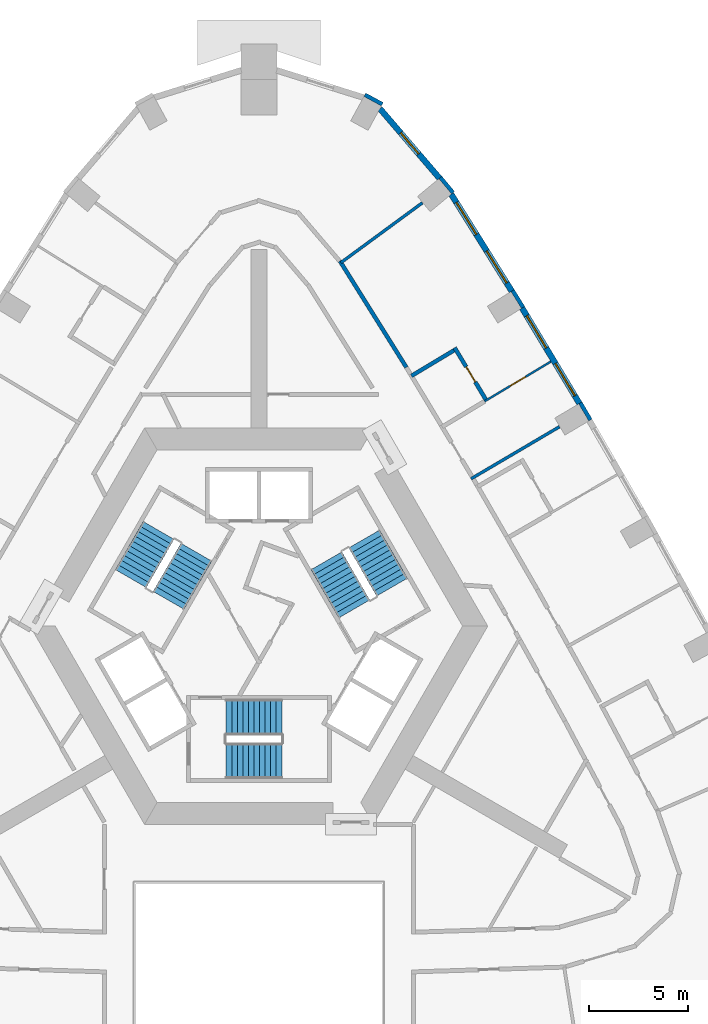
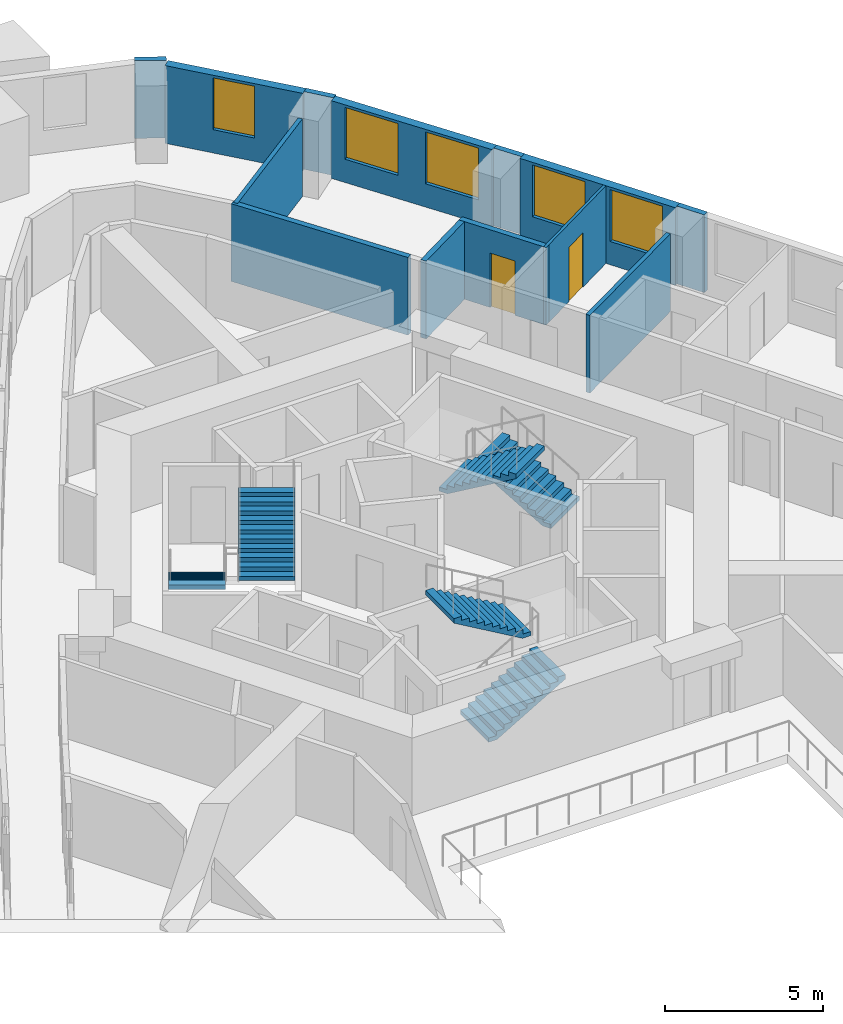
# One storey, part 9 of 12: 13 walls, 6 stair flights, 5 windows, 2 doors, 7 openings, 3 elements without a shape of their own.
"""IFC4 building model written with IfcOpenShell, lengths in metres."""

from ifc_helpers import new_model, si_unit, direction, frame, frame_2d, origin, place, context, subcontext, project, spatial, polyline, rectangle, outline, extrude, material, layer, layer_set, type_object, element, fill, aggregate, save


model = new_model("IFC4")

# Units and contexts
model_context = context("Model", 3, precision=1e-05, world=origin(), true_north=direction((0.0, 1.0)))
body_context = subcontext(model_context, "Body", "Model", "MODEL_VIEW")
ifc_project = project(units=[si_unit("LENGTHUNIT", "METRE"), si_unit("AREAUNIT", "SQUARE_METRE"), si_unit("VOLUMEUNIT", "CUBIC_METRE"), si_unit("PLANEANGLEUNIT", "RADIAN"), si_unit("MASSUNIT", "GRAM", prefix="KILO")], contexts=[model_context])

# Site, building, storey
site_placement = place(None, origin())
site = spatial("IfcSite", under=ifc_project, at=site_placement, CompositionType="ELEMENT")
building_placement = place(site_placement, origin())
building = spatial("IfcBuilding", under=site, at=building_placement, Name="Entoto Arch Interchange Tower", CompositionType="ELEMENT")
storey_placement = place(building_placement, frame((0.0, 0.0, 277.39990234375)))
storey = spatial("IfcBuildingStorey", under=building, at=storey_placement, Name="L64", CompositionType="ELEMENT", Elevation=277.39990234375)

# Wall, opening, door
ifc_material_1 = material(Name="Gypsum board partition on steel studs", Category="steel")
ifc_layer_1 = layer(ifc_material_1, 0.10009765625)
ifc_layer_set_1 = layer_set([ifc_layer_1], Name="Gypsum board partition on steel studs")
wall_type_1 = type_object("IfcWallType", Name="PARTITION 100", PredefinedType="PARTITIONING", material=ifc_layer_set_1)
wall_1_placement = place(storey_placement, frame((11.386962890625, 13.843994140625, 0.0), z_axis=(0.0, 0.0, 1.0), x_axis=(0.857238721908, 0.514919191389, 0.0)))
wall_1 = element("IfcWall", 1, at=wall_1_placement, inside=storey, type_object=wall_type_1, Name="wall:L64:p106", PredefinedType="PARTITIONING", context=body_context, shape_type="SweptSolid", body=[
    extrude(rectangle(XDim=3.899658203125, YDim=0.10009765625, at=frame_2d((1.94970703125, 0.0))), origin(), (0.0, 0.0, 1.0), 3.0),
])
opening_1_placement = place(wall_1_placement, frame((1.5, 0.0, 0.0)))
opening_1 = element("IfcOpeningElement", 2, at=opening_1_placement, cuts=wall_1, Name="Opening L64-D08", PredefinedType="OPENING", context=body_context, shape_type="SweptSolid", body=[
    extrude(rectangle(XDim=0.89990234375, YDim=2.10009765625, at=frame_2d((0.449951171875, 1.050048828125))), frame((0.0, 0.06005859375, 0.0), z_axis=(0.0, -1.0, 0.0), x_axis=(1.0, 0.0, 0.0)), (0.0, 0.0, 1.0), 0.1201171875),
])
ifc_material_2 = material(Name="Timber door leaf in Steel S235 frame", Category="steel")
door_type = type_object("IfcDoorType", Name="DOOR DS-09 900x2100", OperationType="SINGLE_SWING_LEFT", PredefinedType="DOOR", material=ifc_material_2)
door_1_placement = place(opening_1_placement, origin())
door_1 = element("IfcDoor", 3, at=door_1_placement, inside=storey, type_object=door_type, Name="door:L64:08", OperationType="SINGLE_SWING_LEFT", OverallHeight=2.10009765625, OverallWidth=0.89990234375, PredefinedType="DOOR", context=body_context, shape_type="SweptSolid", body=[
    extrude(rectangle(XDim=0.89990234375, YDim=2.10009765625, at=frame_2d((0.449951171875, 1.050048828125))), frame((0.0, 0.02490234375, 0.0), z_axis=(0.0, -1.0, 0.0), x_axis=(1.0, 0.0, 0.0)), (0.0, 0.0, 1.0), 0.050048828125),
])
fill(opening_1, door_1)

# Walls
ifc_layer_2 = layer(ifc_material_1, 0.14990234375)
ifc_layer_set_2 = layer_set([ifc_layer_2], Name="Gypsum board partition on steel studs")
wall_type_2 = type_object("IfcWallType", Name="PARTITION 150", PredefinedType="PARTITIONING", material=ifc_layer_set_2)
wall_2_placement = place(storey_placement, frame((10.701904296875, 9.93408203125, 0.0), z_axis=(0.0, 0.0, 1.0), x_axis=(0.861684553056, 0.507444313225, 0.0)))
element("IfcWall", 4, at=wall_2_placement, inside=storey, type_object=wall_type_2, Name="wall:L64:p105", PredefinedType="PARTITIONING", context=body_context, shape_type="SweptSolid", body=[
    extrude(rectangle(XDim=5.1806640625, YDim=0.14990234375, at=frame_2d((2.59033203125, 0.0))), origin(), (0.0, 0.0, 1.0), 3.0),
])
wall_3_placement = place(storey_placement, frame((4.137939453125, 20.843994140625, 0.0), z_axis=(0.0, 0.0, 1.0), x_axis=(0.805989075855, 0.591930409426, 0.0)))
element("IfcWall", 5, at=wall_3_placement, inside=storey, type_object=wall_type_2, Name="wall:L64:p110", PredefinedType="PARTITIONING", context=body_context, shape_type="SweptSolid", body=[
    extrude(rectangle(XDim=5.096923828125, YDim=0.14990234375, at=frame_2d((2.54833984375, 0.0))), origin(), (0.0, 0.0, 1.0), 3.0),
])
ifc_layer_3 = layer(ifc_material_1, 0.199951171875)
ifc_layer_set_3 = layer_set([ifc_layer_3], Name="Gypsum board partition on steel studs")
wall_type_3 = type_object("IfcWallType", Name="PARTITION 200", PredefinedType="PARTITIONING", material=ifc_layer_set_3)
wall_4_placement = place(storey_placement, frame((4.0849609375, 20.928955078125, 0.0), z_axis=(0.0, 0.0, 1.0), x_axis=(0.530002406791, -0.847996137253, 0.0)))
element("IfcWall", 6, at=wall_4_placement, inside=storey, type_object=wall_type_3, Name="wall:L64:p050", PredefinedType="PARTITIONING", context=body_context, shape_type="SweptSolid", body=[
    extrude(rectangle(XDim=6.330078125, YDim=0.199951171875, at=frame_2d((3.1650390625, 0.0))), origin(), (0.0, 0.0, 1.0), 3.0),
])

# Wall, opening, door
wall_5_placement = place(storey_placement, frame((11.4990234375, 13.85302734375, 0.0), z_axis=(0.0, 0.0, 1.0), x_axis=(-0.514985817066, 0.857198698214, 0.0)))
wall_5 = element("IfcWall", 7, at=wall_5_placement, inside=storey, type_object=wall_type_3, Name="wall:L64:p108", PredefinedType="PARTITIONING", context=body_context, shape_type="SweptSolid", body=[
    extrude(rectangle(XDim=3.149658203125, YDim=0.199951171875, at=frame_2d((1.57470703125, 0.0))), origin(), (0.0, 0.0, 1.0), 3.0),
])
opening_2_placement = place(wall_5_placement, frame((1.125, 0.0, 0.0)))
opening_2 = element("IfcOpeningElement", 8, at=opening_2_placement, cuts=wall_5, Name="Opening L64-D09", PredefinedType="OPENING", context=body_context, shape_type="SweptSolid", body=[
    extrude(rectangle(XDim=0.89990234375, YDim=2.10009765625, at=frame_2d((0.449951171875, 1.050048828125))), frame((0.0, 0.10986328125, 0.0), z_axis=(0.0, -1.0, 0.0), x_axis=(1.0, 0.0, 0.0)), (0.0, 0.0, 1.0), 0.219970703125),
])
door_2_placement = place(opening_2_placement, origin())
door_2 = element("IfcDoor", 9, at=door_2_placement, inside=storey, type_object=door_type, Name="door:L64:09", OperationType="SINGLE_SWING_LEFT", OverallHeight=2.10009765625, OverallWidth=0.89990234375, PredefinedType="DOOR", context=body_context, shape_type="SweptSolid", body=[
    extrude(rectangle(XDim=0.89990234375, YDim=2.10009765625, at=frame_2d((0.449951171875, 1.050048828125))), frame((0.0, 0.02490234375, 0.0), z_axis=(0.0, -1.0, 0.0), x_axis=(1.0, 0.0, 0.0)), (0.0, 0.0, 1.0), 0.050048828125),
])
fill(opening_2, door_2)

# Wall
wall_6_placement = place(storey_placement, frame((9.842041015625, 16.416015625, 0.0), z_axis=(0.0, 0.0, 1.0), x_axis=(-0.857268798444, -0.514869116586, 0.0)))
element("IfcWall", 10, at=wall_6_placement, inside=storey, type_object=wall_type_3, Name="wall:L64:p109", PredefinedType="PARTITIONING", context=body_context, shape_type="SweptSolid", body=[
    extrude(rectangle(XDim=2.499755859375, YDim=0.199951171875, at=frame_2d((1.25, 0.0))), origin(), (0.0, 0.0, 1.0), 3.0),
])

# Wall, openings, windows
ifc_material_3 = material(Name="Welded tuff (ignimbrite) cladding, warm buff", Category="masonry")
ifc_layer_4 = layer(ifc_material_3, 0.300048828125)
ifc_layer_set_4 = layer_set([ifc_layer_4], Name="Welded tuff (ignimbrite) cladding, warm buff")
wall_type_4 = type_object("IfcWallType", Name="STONE INFILL WALL 300", PredefinedType="STANDARD", material=ifc_layer_set_4)
wall_7_placement = place(storey_placement, frame((16.176025390625, 13.737060546875, 0.0), z_axis=(0.0, 0.0, 1.0), x_axis=(-0.515006791362, 0.857186096977, 0.0)))
wall_7 = element("IfcWall", 11, at=wall_7_placement, inside=storey, type_object=wall_type_4, Name="Facade wall NE-04 L64", PredefinedType="STANDARD", context=body_context, shape_type="SweptSolid", body=[
    extrude(rectangle(XDim=5.619384765625, YDim=0.300048828125, at=frame_2d((2.8095703125, 0.0))), origin(), (0.0, 0.0, 1.0), 3.0),
])
opening_3_placement = place(wall_7_placement, frame((0.455078125, 0.0, 0.89990234375)))
opening_3 = element("IfcOpeningElement", 12, at=opening_3_placement, cuts=wall_7, Name="Opening WH-C", PredefinedType="OPENING", context=body_context, shape_type="SweptSolid", body=[
    extrude(rectangle(XDim=1.89990234375, YDim=2.0, at=frame_2d((0.949951171875, 1.0))), frame((0.0, 0.16015625, 0.0), z_axis=(0.0, -1.0, 0.0), x_axis=(1.0, 0.0, 0.0)), (0.0, 0.0, 1.0), 0.320068359375),
])
opening_4_placement = place(wall_7_placement, frame((3.264892578125, 0.0, 0.89990234375)))
opening_4 = element("IfcOpeningElement", 13, at=opening_4_placement, cuts=wall_7, Name="Opening WH-C", PredefinedType="OPENING", context=body_context, shape_type="SweptSolid", body=[
    extrude(rectangle(XDim=1.89990234375, YDim=2.0, at=frame_2d((0.949951171875, 1.0))), frame((0.0, 0.16015625, 0.0), z_axis=(0.0, -1.0, 0.0), x_axis=(1.0, 0.0, 0.0)), (0.0, 0.0, 1.0), 0.320068359375),
])
ifc_material_4 = material(Name="Clear glass, low-e double glazed", Category="glass")
window_type_1 = type_object("IfcWindowType", Name="WINDOW WH-C 1900x2000", PartitioningType="DOUBLE_PANEL_VERTICAL", PredefinedType="WINDOW", material=ifc_material_4)
window_1_placement = place(opening_3_placement, origin())
window_1 = element("IfcWindow", 14, at=window_1_placement, inside=storey, type_object=window_type_1, Name="Window WH-C NE-04 L64", OverallHeight=2.0, OverallWidth=1.89990234375, PartitioningType="SINGLE_PANEL", PredefinedType="WINDOW", context=body_context, shape_type="SweptSolid", body=[
    extrude(rectangle(XDim=1.89990234375, YDim=2.0, at=frame_2d((0.949951171875, 1.0))), frame((0.0, 0.030029296875, 0.0), z_axis=(0.0, -1.0, 0.0), x_axis=(1.0, 0.0, 0.0)), (0.0, 0.0, 1.0), 0.06005859375),
])
fill(opening_3, window_1)
window_2_placement = place(opening_4_placement, origin())
window_2 = element("IfcWindow", 15, at=window_2_placement, inside=storey, type_object=window_type_1, Name="Window WH-C NE-04 L64", OverallHeight=2.0, OverallWidth=1.89990234375, PartitioningType="SINGLE_PANEL", PredefinedType="WINDOW", context=body_context, shape_type="SweptSolid", body=[
    extrude(rectangle(XDim=1.89990234375, YDim=2.0, at=frame_2d((0.949951171875, 1.0))), frame((0.0, 0.030029296875, 0.0), z_axis=(0.0, -1.0, 0.0), x_axis=(1.0, 0.0, 0.0)), (0.0, 0.0, 1.0), 0.06005859375),
])
fill(opening_4, window_2)

wall_8_placement = place(storey_placement, frame((12.760986328125, 19.405029296875, 0.0), z_axis=(0.0, 0.0, 1.0), x_axis=(-0.529915244244, 0.848050608111, 0.0)))
wall_8 = element("IfcWall", 16, at=wall_8_placement, inside=storey, type_object=wall_type_4, Name="Facade wall NE-05 L64", PredefinedType="STANDARD", context=body_context, shape_type="SweptSolid", body=[
    extrude(rectangle(XDim=5.7685546875, YDim=0.300048828125, at=frame_2d((2.88427734375, 0.0))), origin(), (0.0, 0.0, 1.0), 3.0),
])
opening_5_placement = place(wall_8_placement, frame((0.491943359375, 0.0, 0.89990234375)))
opening_5 = element("IfcOpeningElement", 17, at=opening_5_placement, cuts=wall_8, Name="Opening WH-C", PredefinedType="OPENING", context=body_context, shape_type="SweptSolid", body=[
    extrude(rectangle(XDim=1.89990234375, YDim=2.0, at=frame_2d((0.949951171875, 1.0))), frame((0.0, 0.16015625, 0.0), z_axis=(0.0, -1.0, 0.0), x_axis=(1.0, 0.0, 0.0)), (0.0, 0.0, 1.0), 0.320068359375),
])
opening_6_placement = place(wall_8_placement, frame((3.3759765625, 0.0, 0.89990234375)))
opening_6 = element("IfcOpeningElement", 18, at=opening_6_placement, cuts=wall_8, Name="Opening WH-C", PredefinedType="OPENING", context=body_context, shape_type="SweptSolid", body=[
    extrude(rectangle(XDim=1.89990234375, YDim=2.0, at=frame_2d((0.949951171875, 1.0))), frame((0.0, 0.16015625, 0.0), z_axis=(0.0, -1.0, 0.0), x_axis=(1.0, 0.0, 0.0)), (0.0, 0.0, 1.0), 0.320068359375),
])
window_3_placement = place(opening_5_placement, origin())
window_3 = element("IfcWindow", 19, at=window_3_placement, inside=storey, type_object=window_type_1, Name="Window WH-C NE-05 L64", OverallHeight=2.0, OverallWidth=1.89990234375, PartitioningType="SINGLE_PANEL", PredefinedType="WINDOW", context=body_context, shape_type="SweptSolid", body=[
    extrude(rectangle(XDim=1.89990234375, YDim=2.0, at=frame_2d((0.949951171875, 1.0))), frame((0.0, 0.030029296875, 0.0), z_axis=(0.0, -1.0, 0.0), x_axis=(1.0, 0.0, 0.0)), (0.0, 0.0, 1.0), 0.06005859375),
])
fill(opening_5, window_3)
window_4_placement = place(opening_6_placement, origin())
window_4 = element("IfcWindow", 20, at=window_4_placement, inside=storey, type_object=window_type_1, Name="Window WH-C NE-05 L64", OverallHeight=2.0, OverallWidth=1.89990234375, PartitioningType="SINGLE_PANEL", PredefinedType="WINDOW", context=body_context, shape_type="SweptSolid", body=[
    extrude(rectangle(XDim=1.89990234375, YDim=2.0, at=frame_2d((0.949951171875, 1.0))), frame((0.0, 0.030029296875, 0.0), z_axis=(0.0, -1.0, 0.0), x_axis=(1.0, 0.0, 0.0)), (0.0, 0.0, 1.0), 0.06005859375),
])
fill(opening_6, window_4)

# Wall, opening, window
wall_9_placement = place(storey_placement, frame((9.114013671875, 25.10400390625, 0.0), z_axis=(0.0, 0.0, 1.0), x_axis=(-0.650534879197, 0.759476379454, 0.0)))
wall_9 = element("IfcWall", 21, at=wall_9_placement, inside=storey, type_object=wall_type_4, Name="Facade wall N-01 L64", PredefinedType="STANDARD", context=body_context, shape_type="SweptSolid", body=[
    extrude(rectangle(XDim=4.62548828125, YDim=0.300048828125, at=frame_2d((2.312744140625, 0.0))), origin(), (0.0, 0.0, 1.0), 3.0),
])
opening_7_placement = place(wall_9_placement, frame((1.613037109375, 0.0, 0.89990234375)))
opening_7 = element("IfcOpeningElement", 22, at=opening_7_placement, cuts=wall_9, Name="Opening WH-B", PredefinedType="OPENING", context=body_context, shape_type="SweptSolid", body=[
    extrude(rectangle(XDim=1.39990234375, YDim=2.0, at=frame_2d((0.699951171875, 1.0))), frame((0.0, 0.16015625, 0.0), z_axis=(0.0, -1.0, 0.0), x_axis=(1.0, 0.0, 0.0)), (0.0, 0.0, 1.0), 0.320068359375),
])
window_type_2 = type_object("IfcWindowType", Name="WINDOW WH-B 1400x2000", PartitioningType="DOUBLE_PANEL_VERTICAL", PredefinedType="WINDOW", material=ifc_material_4)
window_5_placement = place(opening_7_placement, origin())
window_5 = element("IfcWindow", 23, at=window_5_placement, inside=storey, type_object=window_type_2, Name="Window WH-B N-01 L64", OverallHeight=2.0, OverallWidth=1.39990234375, PartitioningType="SINGLE_PANEL", PredefinedType="WINDOW", context=body_context, shape_type="SweptSolid", body=[
    extrude(rectangle(XDim=1.39990234375, YDim=2.0, at=frame_2d((0.699951171875, 1.0))), frame((0.0, 0.030029296875, 0.0), z_axis=(0.0, -1.0, 0.0), x_axis=(1.0, 0.0, 0.0)), (0.0, 0.0, 1.0), 0.06005859375),
])
fill(opening_7, window_5)

# Walls
ifc_layer_5 = layer(ifc_material_3, 0.199951171875)
ifc_layer_set_5 = layer_set([ifc_layer_5], Name="Welded tuff (ignimbrite) cladding, warm buff")
wall_type_5 = type_object("IfcWallType", Name="STONE PIER CLADDING 200", PredefinedType="STANDARD", material=ifc_layer_set_5)
wall_10_placement = place(storey_placement, frame((6.22509765625, 28.8369140625, 0.0), z_axis=(0.0, 0.0, 1.0), x_axis=(-0.878305841364, 0.478099204168, 0.0)))
element("IfcWall", 24, at=wall_10_placement, inside=storey, type_object=wall_type_5, Name="Stone pier N1 L64", PredefinedType="STANDARD", context=body_context, shape_type="SweptSolid", body=[
    extrude(rectangle(XDim=0.999755859375, YDim=0.199951171875, at=frame_2d((0.5, 0.0))), origin(), (0.0, 0.0, 1.0), 3.0),
])
wall_11_placement = place(storey_placement, frame((16.72998046875, 12.904052734375, 0.0), z_axis=(0.0, 0.0, 1.0), x_axis=(-0.508268432768, 0.861198699634, 0.0)))
element("IfcWall", 25, at=wall_11_placement, inside=storey, type_object=wall_type_5, Name="Stone pier NE04 L64", PredefinedType="STANDARD", context=body_context, shape_type="SweptSolid", body=[
    extrude(rectangle(XDim=0.99951171875, YDim=0.199951171875, at=frame_2d((0.499755859375, 0.0))), origin(), (0.0, 0.0, 1.0), 3.0),
])
wall_12_placement = place(storey_placement, frame((13.3310546875, 18.5830078125, 0.0), z_axis=(0.0, 0.0, 1.0), x_axis=(-0.525825307325, 0.850592585306, 0.0)))
element("IfcWall", 26, at=wall_12_placement, inside=storey, type_object=wall_type_5, Name="Stone pier NE05 L64", PredefinedType="STANDARD", context=body_context, shape_type="SweptSolid", body=[
    extrude(rectangle(XDim=1.00048828125, YDim=0.199951171875, at=frame_2d((0.500244140625, 0.0))), origin(), (0.0, 0.0, 1.0), 3.0),
])
wall_13_placement = place(storey_placement, frame((9.7958984375, 24.3720703125, 0.0), z_axis=(0.0, 0.0, 1.0), x_axis=(-0.637972365578, 0.770059257953, 0.0)))
element("IfcWall", 27, at=wall_13_placement, inside=storey, type_object=wall_type_5, Name="Stone pier NE06 L64", PredefinedType="STANDARD", context=body_context, shape_type="SweptSolid", body=[
    extrude(rectangle(XDim=1.0, YDim=0.199951171875, at=frame_2d((0.5, 0.0))), origin(), (0.0, 0.0, 1.0), 3.0),
])

# Stair, stair flights
ifc_material_5 = material(Name="Concrete C40/50", Category="concrete")
stair_type = type_object("IfcStairType", Name="EXIT STAIR RC 1800", PredefinedType="HALF_TURN_STAIR", material=ifc_material_5)
stair_1_placement = place(storey_placement, origin())
stair_1 = element("IfcStair", 28, at=stair_1_placement, inside=storey, type_object=stair_type, Name="L64 Exit stair S", PredefinedType="HALF_TURN_STAIR")
stair_flight_type = type_object("IfcStairFlightType", Name="EXIT STAIR FLIGHT RC 1800", PredefinedType="STRAIGHT", material=ifc_material_5)
stair_flight_1_placement = place(storey_placement, frame((-1.64990234375, -4.300048828125, 0.0), z_axis=(0.0, 0.0, 1.0), x_axis=(1.0, 0.0, 0.0)))
stair_flight_1 = element("IfcStairFlight", 29, at=stair_flight_1_placement, type_object=stair_flight_type, Name="ST-S flight 1", NumberOfRisers=11, NumberOfTreads=10, PredefinedType="STRAIGHT", RiserHeight=0.163636364, TreadLength=0.28, context=body_context, shape_type="SweptSolid", body=[
    extrude(outline(polyline([(-0.0029296875, 0.0), (-0.0029296875, 0.16357421875), (0.280029296875, 0.16357421875), (0.280029296875, 0.327392578125), (0.56005859375, 0.327392578125), (0.56005859375, 0.490966796875), (0.840087890625, 0.490966796875), (0.840087890625, 0.654541015625), (1.1201171875, 0.654541015625), (1.1201171875, 0.818115234375), (1.39990234375, 0.818115234375), (1.39990234375, 0.98193359375), (1.679931640625, 0.98193359375), (1.679931640625, 1.1455078125), (1.9599609375, 1.1455078125), (1.9599609375, 1.30908203125), (2.239990234375, 1.30908203125), (2.239990234375, 1.47265625), (2.52001953125, 1.47265625), (2.52001953125, 1.636474609375), (2.800048828125, 1.636474609375), (2.802978515625, 1.636474609375), (2.802978515625, 1.464599609375), (0.297119140625, 0.0), (-0.0029296875, 0.0)])), frame((0.0, 0.89990234375, 0.0), z_axis=(0.0, -1.0, 0.0), x_axis=(1.0, 0.0, 0.0)), (0.0, 0.0, 1.0), 1.800048828125),
])
stair_flight_2_placement = place(storey_placement, frame((1.14990234375, -2.10009765625, 1.800048828125), z_axis=(0.0, 0.0, 1.0), x_axis=(-1.0, 0.0, 0.0)))
stair_flight_2 = element("IfcStairFlight", 30, at=stair_flight_2_placement, type_object=stair_flight_type, Name="ST-S flight 2", NumberOfRisers=11, NumberOfTreads=10, PredefinedType="STRAIGHT", RiserHeight=0.163636364, TreadLength=0.28, context=body_context, shape_type="SweptSolid", body=[
    extrude(outline(polyline([(-0.0029296875, 0.0), (-0.0029296875, 0.16357421875), (0.280029296875, 0.16357421875), (0.280029296875, 0.327392578125), (0.56005859375, 0.327392578125), (0.56005859375, 0.490966796875), (0.840087890625, 0.490966796875), (0.840087890625, 0.654541015625), (1.1201171875, 0.654541015625), (1.1201171875, 0.818115234375), (1.39990234375, 0.818115234375), (1.39990234375, 0.98193359375), (1.679931640625, 0.98193359375), (1.679931640625, 1.1455078125), (1.9599609375, 1.1455078125), (1.9599609375, 1.30908203125), (2.239990234375, 1.30908203125), (2.239990234375, 1.47265625), (2.52001953125, 1.47265625), (2.52001953125, 1.636474609375), (2.800048828125, 1.636474609375), (2.802978515625, 1.636474609375), (2.802978515625, 1.464599609375), (0.297119140625, 0.0), (-0.0029296875, 0.0)])), frame((0.0, 0.89990234375, 0.0), z_axis=(0.0, -1.0, 0.0), x_axis=(1.0, 0.0, 0.0)), (0.0, 0.0, 1.0), 1.800048828125),
])
aggregate(stair_1, [stair_flight_1, stair_flight_2])

stair_2_placement = place(storey_placement, origin())
stair_2 = element("IfcStair", 31, at=stair_2_placement, inside=storey, type_object=stair_type, Name="L64 Exit stair NE", PredefinedType="HALF_TURN_STAIR")
stair_flight_3_placement = place(storey_placement, frame((6.7138671875, 4.470947265625, 0.0), z_axis=(0.0, 0.0, 1.0), x_axis=(-0.5, 0.866025403784, 0.0)))
stair_flight_3 = element("IfcStairFlight", 32, at=stair_flight_3_placement, type_object=stair_flight_type, Name="ST-NE flight 1", NumberOfRisers=11, NumberOfTreads=10, PredefinedType="STRAIGHT", RiserHeight=0.163636364, TreadLength=0.28, context=body_context, shape_type="SweptSolid", body=[
    extrude(outline(polyline([(-0.0029296875, 0.0), (-0.0029296875, 0.16357421875), (0.280029296875, 0.16357421875), (0.280029296875, 0.327392578125), (0.56005859375, 0.327392578125), (0.56005859375, 0.490966796875), (0.840087890625, 0.490966796875), (0.840087890625, 0.654541015625), (1.1201171875, 0.654541015625), (1.1201171875, 0.818115234375), (1.39990234375, 0.818115234375), (1.39990234375, 0.98193359375), (1.679931640625, 0.98193359375), (1.679931640625, 1.1455078125), (1.9599609375, 1.1455078125), (1.9599609375, 1.30908203125), (2.239990234375, 1.30908203125), (2.239990234375, 1.47265625), (2.52001953125, 1.47265625), (2.52001953125, 1.636474609375), (2.800048828125, 1.636474609375), (2.802978515625, 1.636474609375), (2.802978515625, 1.464599609375), (0.297119140625, 0.0), (-0.0029296875, 0.0)])), frame((0.0, 0.89990234375, 0.0), z_axis=(0.0, -1.0, 0.0), x_axis=(1.0, 0.0, 0.0)), (0.0, 0.0, 1.0), 1.800048828125),
])
stair_flight_4_placement = place(storey_placement, frame((3.40869140625, 5.7958984375, 1.800048828125), z_axis=(0.0, 0.0, 1.0), x_axis=(0.5, -0.866025403784, 0.0)))
stair_flight_4 = element("IfcStairFlight", 33, at=stair_flight_4_placement, type_object=stair_flight_type, Name="ST-NE flight 2", NumberOfRisers=11, NumberOfTreads=10, PredefinedType="STRAIGHT", RiserHeight=0.163636364, TreadLength=0.28, context=body_context, shape_type="SweptSolid", body=[
    extrude(outline(polyline([(-0.0029296875, 0.0), (-0.0029296875, 0.16357421875), (0.280029296875, 0.16357421875), (0.280029296875, 0.327392578125), (0.56005859375, 0.327392578125), (0.56005859375, 0.490966796875), (0.840087890625, 0.490966796875), (0.840087890625, 0.654541015625), (1.1201171875, 0.654541015625), (1.1201171875, 0.818115234375), (1.39990234375, 0.818115234375), (1.39990234375, 0.98193359375), (1.679931640625, 0.98193359375), (1.679931640625, 1.1455078125), (1.9599609375, 1.1455078125), (1.9599609375, 1.30908203125), (2.239990234375, 1.30908203125), (2.239990234375, 1.47265625), (2.52001953125, 1.47265625), (2.52001953125, 1.636474609375), (2.800048828125, 1.636474609375), (2.802978515625, 1.636474609375), (2.802978515625, 1.464599609375), (0.297119140625, 0.0), (-0.0029296875, 0.0)])), frame((0.0, 0.89990234375, 0.0), z_axis=(0.0, -1.0, 0.0), x_axis=(1.0, 0.0, 0.0)), (0.0, 0.0, 1.0), 1.800048828125),
])
aggregate(stair_2, [stair_flight_3, stair_flight_4])

stair_3_placement = place(storey_placement, origin())
stair_3 = element("IfcStair", 34, at=stair_3_placement, inside=storey, type_object=stair_type, Name="L64 Exit stair NW", PredefinedType="HALF_TURN_STAIR")
stair_flight_5_placement = place(storey_placement, frame((-5.06396484375, 7.328857421875, 0.0), z_axis=(0.0, 0.0, 1.0), x_axis=(-0.5, -0.866025403784, 0.0)))
stair_flight_5 = element("IfcStairFlight", 35, at=stair_flight_5_placement, type_object=stair_flight_type, Name="ST-NW flight 1", NumberOfRisers=11, NumberOfTreads=10, PredefinedType="STRAIGHT", RiserHeight=0.163636364, TreadLength=0.28, context=body_context, shape_type="SweptSolid", body=[
    extrude(outline(polyline([(-0.0029296875, 0.0), (-0.0029296875, 0.16357421875), (0.280029296875, 0.16357421875), (0.280029296875, 0.327392578125), (0.56005859375, 0.327392578125), (0.56005859375, 0.490966796875), (0.840087890625, 0.490966796875), (0.840087890625, 0.654541015625), (1.1201171875, 0.654541015625), (1.1201171875, 0.818115234375), (1.39990234375, 0.818115234375), (1.39990234375, 0.98193359375), (1.679931640625, 0.98193359375), (1.679931640625, 1.1455078125), (1.9599609375, 1.1455078125), (1.9599609375, 1.30908203125), (2.239990234375, 1.30908203125), (2.239990234375, 1.47265625), (2.52001953125, 1.47265625), (2.52001953125, 1.636474609375), (2.800048828125, 1.636474609375), (2.802978515625, 1.636474609375), (2.802978515625, 1.464599609375), (0.297119140625, 0.0), (-0.0029296875, 0.0)])), frame((0.0, 0.89990234375, 0.0), z_axis=(0.0, -1.0, 0.0), x_axis=(1.0, 0.0, 0.0)), (0.0, 0.0, 1.0), 1.800048828125),
])
stair_flight_6_placement = place(storey_placement, frame((-4.558837890625, 3.803955078125, 1.800048828125), z_axis=(0.0, 0.0, 1.0), x_axis=(0.5, 0.866025403784, 0.0)))
stair_flight_6 = element("IfcStairFlight", 36, at=stair_flight_6_placement, type_object=stair_flight_type, Name="ST-NW flight 2", NumberOfRisers=11, NumberOfTreads=10, PredefinedType="STRAIGHT", RiserHeight=0.163636364, TreadLength=0.28, context=body_context, shape_type="SweptSolid", body=[
    extrude(outline(polyline([(-0.0029296875, 0.0), (-0.0029296875, 0.16357421875), (0.280029296875, 0.16357421875), (0.280029296875, 0.327392578125), (0.56005859375, 0.327392578125), (0.56005859375, 0.490966796875), (0.840087890625, 0.490966796875), (0.840087890625, 0.654541015625), (1.1201171875, 0.654541015625), (1.1201171875, 0.818115234375), (1.39990234375, 0.818115234375), (1.39990234375, 0.98193359375), (1.679931640625, 0.98193359375), (1.679931640625, 1.1455078125), (1.9599609375, 1.1455078125), (1.9599609375, 1.30908203125), (2.239990234375, 1.30908203125), (2.239990234375, 1.47265625), (2.52001953125, 1.47265625), (2.52001953125, 1.636474609375), (2.800048828125, 1.636474609375), (2.802978515625, 1.636474609375), (2.802978515625, 1.464599609375), (0.297119140625, 0.0), (-0.0029296875, 0.0)])), frame((0.0, 0.89990234375, 0.0), z_axis=(0.0, -1.0, 0.0), x_axis=(1.0, 0.0, 0.0)), (0.0, 0.0, 1.0), 1.800048828125),
])
aggregate(stair_3, [stair_flight_5, stair_flight_6])

save(model, "model.ifc")
